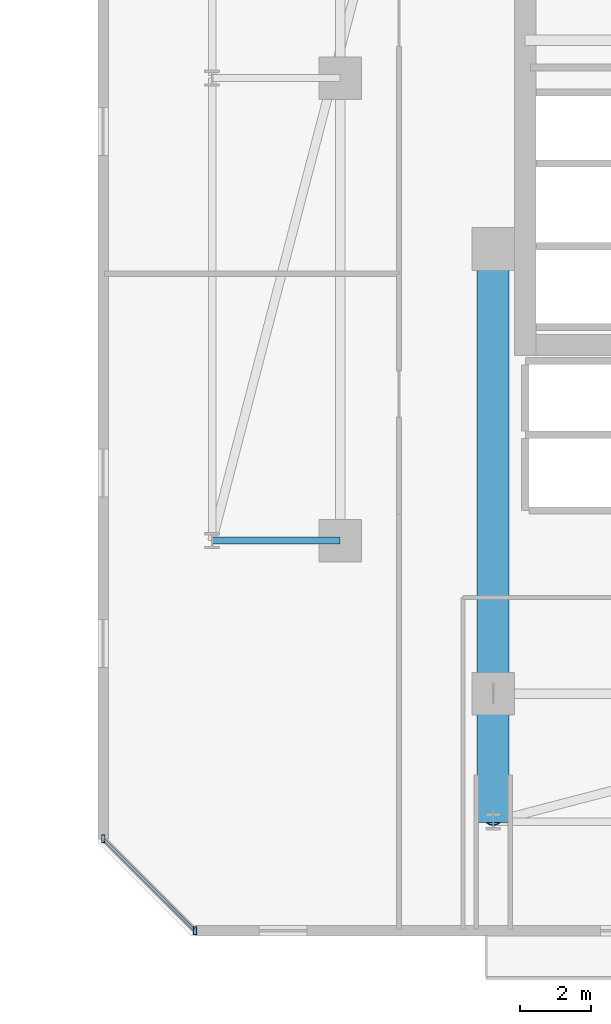
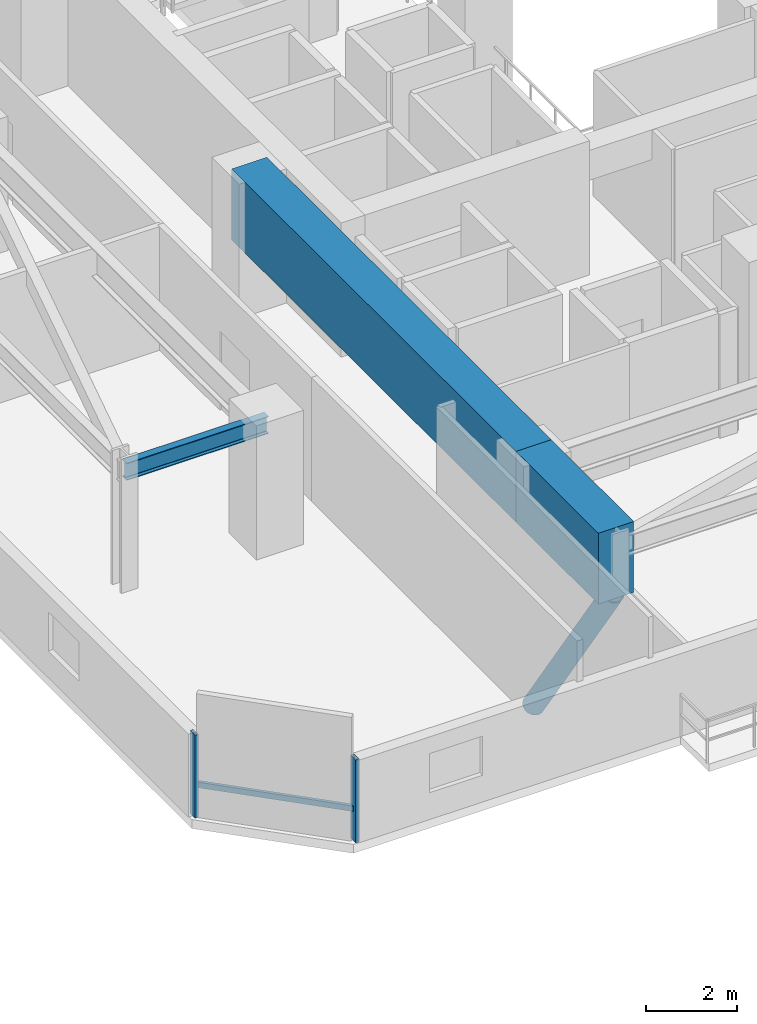
# One storey, part 11 of 36: 4 members, 3 beams, 1 element without a shape of its own.
"""IFC4 building model written with IfcOpenShell, lengths in metres."""

from ifc_helpers import new_model, si_unit, direction, frame, origin, origin_2d, place, context, subcontext, project, spatial, rectangle, hollow_rectangle, hollow_circle, i_section, extrude, material, material_profile, profile_set, type_object, element, aggregate, save


model = new_model("IFC4")

# Units and contexts
model_context = context("Model", 3, precision=1e-05, world=origin(), true_north=direction((0.0, 1.0)))
body_context = subcontext(model_context, "Body", "Model", "MODEL_VIEW")
ifc_project = project(units=[si_unit("LENGTHUNIT", "METRE"), si_unit("AREAUNIT", "SQUARE_METRE"), si_unit("VOLUMEUNIT", "CUBIC_METRE"), si_unit("PLANEANGLEUNIT", "RADIAN"), si_unit("MASSUNIT", "GRAM", prefix="KILO")], contexts=[model_context])

# Site, building, storey
site_placement = place(None, origin())
site = spatial("IfcSite", under=ifc_project, at=site_placement, CompositionType="ELEMENT")
building_placement = place(site_placement, origin())
building = spatial("IfcBuilding", under=site, at=building_placement, Name="Thornwick Lancets Civic Towers", CompositionType="ELEMENT")
storey_placement = place(building_placement, frame((0.0, 0.0, 116.10009765625)))
storey = spatial("IfcBuildingStorey", under=building, at=storey_placement, Name="L30", CompositionType="ELEMENT", Elevation=116.10009765625)

# Beams
ifc_material_1 = material(Name="Steel S355JR", Category="steel")
ifc_material_profile_1 = material_profile(ifc_material_1, i_section(OverallWidth=0.19189453125, OverallDepth=0.46337890625, WebThickness=0.010498046875, FlangeThickness=0.017578125, FilletRadius=0.01025390625, at=origin_2d()), Name="UKB 457x191x89")
ifc_profile_set_1 = profile_set([ifc_material_profile_1], Name="Steel S355JR")
beam_type_1 = type_object("IfcBeamType", Name="BM_JOIST_457_89", PredefinedType="JOIST", material=ifc_profile_set_1)
beam_1_placement = place(storey_placement, frame((71.199951171875, 14.0, 3.108154296875), z_axis=(-1.0, 0.0, 0.0), x_axis=(0.0, -1.0, 0.0)))
element("IfcBeam", 1, at=beam_1_placement, inside=storey, type_object=beam_type_1, Name="BM-RAD-L30-B07", PredefinedType="JOIST", context=body_context, shape_type="SweptSolid", body=[
    extrude(i_section(OverallWidth=0.19189453125, OverallDepth=0.46337890625, WebThickness=0.010498046875, FlangeThickness=0.017578125, FilletRadius=0.01025390625, at=origin_2d()), origin(), (0.0, 0.0, 1.0), 3.599853515625),
])
ifc_material_2 = material(Name="Concrete C60/75", Category="concrete")
ifc_material_profile_2 = material_profile(ifc_material_2, rectangle(XDim=0.89990234375, YDim=1.89990234375, at=origin_2d()), Name="RC 900x1900")
ifc_profile_set_2 = profile_set([ifc_material_profile_2], Name="Concrete C60/75")
beam_type_2 = type_object("IfcBeamType", Name="BM_TR_RC1900", PredefinedType="BEAM", material=ifc_profile_set_2)
beam_2_placement = place(storey_placement, frame((75.5, 22.199951171875, 2.64990234375), z_axis=(0.0, -1.0, 0.0), x_axis=(1.0, 0.0, 0.0)))
element("IfcBeam", 2, at=beam_2_placement, inside=storey, type_object=beam_type_2, Name="TG-BACK-L31-B12", PredefinedType="BEAM", context=body_context, shape_type="SweptSolid", body=[
    extrude(rectangle(XDim=0.89990234375, YDim=1.89990234375, at=origin_2d()), origin(), (0.0, 0.0, 1.0), 12.5),
])
beam_3_placement = place(storey_placement, frame((75.5, 9.699951171875, 2.64990234375), z_axis=(0.0, -1.0, 0.0), x_axis=(1.0, 0.0, 0.0)))
element("IfcBeam", 3, at=beam_3_placement, inside=storey, type_object=beam_type_2, Name="TG-CANT-L31-B12", PredefinedType="BEAM", context=body_context, shape_type="SweptSolid", body=[
    extrude(rectangle(XDim=0.89990234375, YDim=1.89990234375, at=origin_2d()), origin(), (0.0, 0.0, 1.0), 3.619873046875),
])

# Curtain wall, members
ifc_material_3 = material(Name="Low-zone chamfered-corner unitised glass curtain wall", Category="glass")
curtain_wall_type = type_object("IfcCurtainWallType", Name="CW_SYS_03", PredefinedType="NOTDEFINED", material=ifc_material_3)
curtain_wall_placement = place(storey_placement, origin())
curtain_wall = element("IfcCurtainWall", 4, at=curtain_wall_placement, inside=storey, type_object=curtain_wall_type, Name="L30 Curtain Wall CW-L30-B-E7", PredefinedType="NOTDEFINED")
ifc_material_4 = material(Name="Thermally broken bronze aluminium S355", Category="steel")
ifc_material_profile_3 = material_profile(ifc_material_4, hollow_rectangle(XDim=0.090087890625, YDim=0.219970703125, WallThickness=0.00634765625, at=origin_2d()), Name="RHS 220x90x6.3")
ifc_profile_set_3 = profile_set([ifc_material_profile_3], Name="Thermally broken bronze aluminium S355")
member_type_1 = type_object("IfcMemberType", Name="CW_MUL_220", PredefinedType="MULLION", material=ifc_profile_set_3)
member_1_placement = place(storey_placement, frame((64.535400390625, 5.61865234375, 0.0), z_axis=(0.0, 0.0, 1.0), x_axis=(1.0, 0.0, 0.0)))
member_1 = element("IfcMember", 5, at=member_1_placement, type_object=member_type_1, Name="CW-L30-B-E7 Mullion 0", PredefinedType="MULLION", context=body_context, shape_type="SweptSolid", body=[
    extrude(hollow_rectangle(XDim=0.090087890625, YDim=0.219970703125, WallThickness=0.00634765625, at=origin_2d()), origin(), (0.0, 0.0, 1.0), 2.219970703125),
])
member_2_placement = place(storey_placement, frame((67.11865234375, 3.035400390625, 0.0), z_axis=(0.0, 0.0, 1.0), x_axis=(1.0, 0.0, 0.0)))
member_2 = element("IfcMember", 6, at=member_2_placement, type_object=member_type_1, Name="CW-L30-B-E7 Mullion 1", PredefinedType="MULLION", context=body_context, shape_type="SweptSolid", body=[
    extrude(hollow_rectangle(XDim=0.090087890625, YDim=0.219970703125, WallThickness=0.00634765625, at=origin_2d()), origin(), (0.0, 0.0, 1.0), 2.219970703125),
])
ifc_material_profile_4 = material_profile(ifc_material_4, hollow_rectangle(XDim=0.074951171875, YDim=0.14990234375, WallThickness=0.0048828125, at=origin_2d()), Name="RHS 150x75x5")
ifc_profile_set_4 = profile_set([ifc_material_profile_4], Name="Thermally broken bronze aluminium S355")
member_type_2 = type_object("IfcMemberType", Name="CW_TRN_150", PredefinedType="USERDEFINED", material=ifc_profile_set_4)
member_3_placement = place(storey_placement, frame((64.54931640625, 5.6044921875, 0.849853515625), z_axis=(0.707106781187, -0.707106781187, 0.0), x_axis=(0.707106781187, 0.707106781187, 0.0)))
member_3 = element("IfcMember", 7, at=member_3_placement, type_object=member_type_2, Name="CW-L30-B-E7 Transom 0", ObjectType="TRANSOM", PredefinedType="USERDEFINED", context=body_context, shape_type="SweptSolid", body=[
    extrude(hollow_rectangle(XDim=0.074951171875, YDim=0.14990234375, WallThickness=0.0048828125, at=origin_2d()), origin(), (0.0, 0.0, 1.0), 3.613525390625),
])
aggregate(curtain_wall, [member_1, member_2, member_3])

# Member
ifc_material_5 = material(Name="Steel S460M", Category="steel")
ifc_material_profile_5 = material_profile(ifc_material_5, hollow_circle(Radius=0.25390625, WallThickness=0.02490234375, at=origin_2d()), Name="CHS 508x25")
ifc_profile_set_5 = profile_set([ifc_material_profile_5], Name="Steel S460M")
member_type_3 = type_object("IfcMemberType", Name="MEM_STRUT_CHS508", PredefinedType="STRUT", material=ifc_profile_set_5)
member_4_placement = place(storey_placement, frame((75.5, 9.699951171875, -3.35009765625), z_axis=(0.0, -0.563595410885, 0.826050974716), x_axis=(1.0, 0.0, 0.0)))
element("IfcMember", 8, at=member_4_placement, inside=storey, type_object=member_type_3, Name="L31 Jenga Transfer Raking Strut B12", PredefinedType="STRUT", context=body_context, shape_type="SweptSolid", body=[
    extrude(hollow_circle(Radius=0.25390625, WallThickness=0.02490234375, at=origin_2d()), origin(), (0.0, 0.0, 1.0), 6.210205078125),
])

save(model, "model.ifc")
